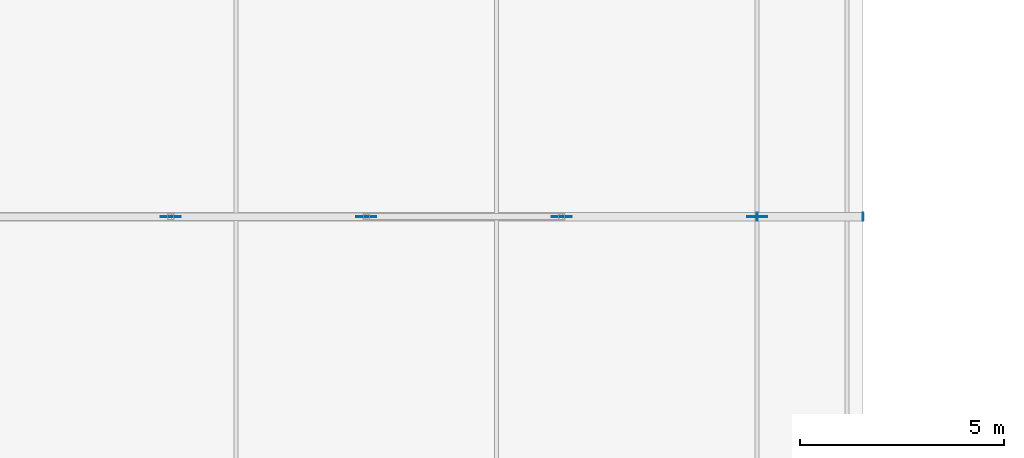
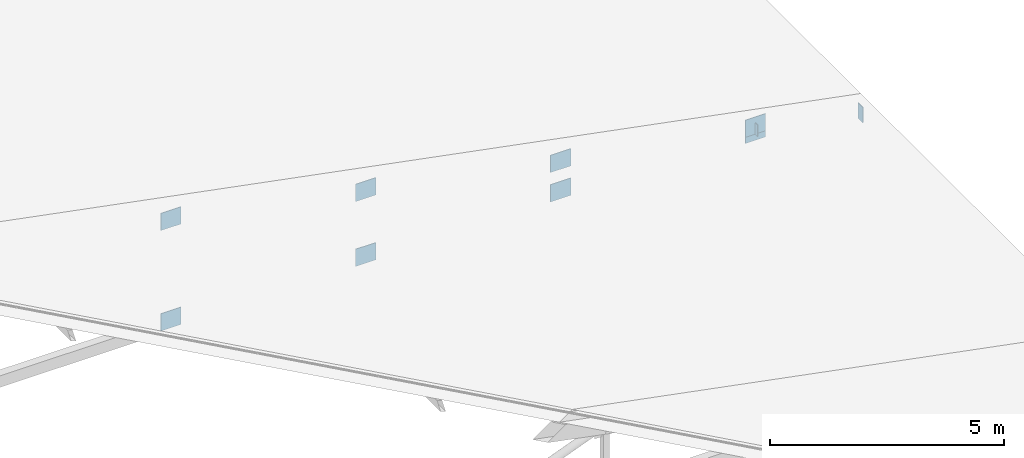
# One storey, part 166 of 200: 10 plates.
"""IFC4 building model written with IfcOpenShell, lengths in metres."""

from ifc_helpers import new_model, si_unit, direction, frame, origin, origin_2d, place, context, subcontext, project, spatial, rectangle, extrude, material, layer, layer_set, type_object, element, save


model = new_model("IFC4")

# Units and contexts
model_context = context("Model", 3, precision=1e-05, world=origin(), true_north=direction((0.0, 1.0)))
body_context = subcontext(model_context, "Body", "Model", "MODEL_VIEW")
ifc_project = project(units=[si_unit("LENGTHUNIT", "METRE"), si_unit("AREAUNIT", "SQUARE_METRE"), si_unit("VOLUMEUNIT", "CUBIC_METRE"), si_unit("PLANEANGLEUNIT", "RADIAN"), si_unit("MASSUNIT", "GRAM", prefix="KILO")], contexts=[model_context])

# Site, building, storey
site_placement = place(None, origin())
site = spatial("IfcSite", under=ifc_project, at=site_placement, CompositionType="ELEMENT")
building_placement = place(site_placement, origin())
building = spatial("IfcBuilding", under=site, at=building_placement, Name="Vondelvale Polytechnic", CompositionType="ELEMENT")
storey_placement = place(building_placement, frame((0.0, 0.0, 13.800048828125)))
storey = spatial("IfcBuildingStorey", under=building, at=storey_placement, Name="L03", CompositionType="ELEMENT", Elevation=13.800048828125)

# Plates
ifc_material = material(Name="Steel Grade 350 (fy = 340 MPa)", Category="steel")
ifc_layer_1 = layer(ifc_material, 0.01611328125)
ifc_layer_set_1 = layer_set([ifc_layer_1], Name="PLATE-CAP-300x200")
plate_type_1 = type_object("IfcPlateType", Name="PLATE-CAP-300x200", PredefinedType="USERDEFINED", material=ifc_layer_set_1)
plate_1_placement = place(storey_placement, frame((48.0, 102.0, -0.5703125), z_axis=(0.0, 0.0, 1.0), x_axis=(1.0, 0.0, 0.0)))
element("IfcPlate", 1, at=plate_1_placement, inside=storey, type_object=plate_type_1, Name="ROOF TRUSS bottom chord cap plate E", ObjectType="CAP_PLATE", PredefinedType="USERDEFINED", context=body_context, shape_type="SweptSolid", body=[
    extrude(rectangle(XDim=0.01611328125, YDim=0.199951171875, at=origin_2d()), origin(), (0.0, 0.0, 1.0), 0.300048828125),
])
ifc_layer_2 = layer(ifc_material, 0.01611328125)
ifc_layer_set_2 = layer_set([ifc_layer_2], Name="PLATE-CAP-400x200")
plate_type_2 = type_object("IfcPlateType", Name="PLATE-CAP-400x200", PredefinedType="USERDEFINED", material=ifc_layer_set_2)
plate_2_placement = place(storey_placement, frame((50.60009765625, 102.0, -1.12109375), z_axis=(0.0, 0.0, 1.0), x_axis=(1.0, 0.0, 0.0)))
element("IfcPlate", 2, at=plate_2_placement, inside=storey, type_object=plate_type_2, Name="ROOF TRUSS hollow end cap plate E", ObjectType="CAP_PLATE", PredefinedType="USERDEFINED", context=body_context, shape_type="SweptSolid", body=[
    extrude(rectangle(XDim=0.01611328125, YDim=0.199951171875, at=origin_2d()), origin(), (0.0, 0.0, 1.0), 0.39990234375),
])
ifc_layer_3 = layer(ifc_material, 0.01611328125)
ifc_layer_set_3 = layer_set([ifc_layer_3], Name="PLATE-GUSSET-16")
plate_type_3 = type_object("IfcPlateType", Name="PLATE-GUSSET-16", PredefinedType="USERDEFINED", material=ifc_layer_set_3)
for number, where, z_axis, x_axis, name in (
    (3, (33.60009765625, 102.0, 2.0498046875), (0.0, 0.0, 1.0), (1.0, 0.0, 0.0), "ROOF TRUSS top chord gusset node plate 6"),
    (4, (33.60009765625, 102.0, -0.56494140625), (0.0, 0.0, 1.0), (1.0, 0.0, 0.0), "ROOF TRUSS bottom chord gusset node plate 6"),
    (5, (38.39990234375, 102.0, 1.125), (0.0, 0.0, 1.0), (1.0, 0.0, 0.0), "ROOF TRUSS top chord gusset node plate 7"),
    (6, (38.39990234375, 102.0, -0.56494140625), (0.0, 0.0, 1.0), (1.0, 0.0, 0.0), "ROOF TRUSS bottom chord gusset node plate 7"),
    (7, (43.199951171875, 102.0, 0.2001953125), (0.0, 0.0, 1.0), (1.0, 0.0, 0.0), "ROOF TRUSS top chord gusset node plate 8"),
    (8, (43.199951171875, 102.0, -0.56494140625), (0.0, 0.0, 1.0), (1.0, 0.0, 0.0), "ROOF TRUSS bottom chord gusset node plate 8"),
    (9, (48.0, 102.0, -0.72509765625), (0.0, 0.0, 1.0), (1.0, 0.0, 0.0), "ROOF TRUSS top chord gusset node plate 9"),
    (10, (48.0, 102.0, -0.56494140625), (0.0, 0.0, 1.0), (1.0, 0.0, 0.0), "ROOF TRUSS bottom chord gusset node plate 9"),
):
    element("IfcPlate", number, at=place(storey_placement, frame(where, z_axis=z_axis, x_axis=x_axis)), inside=storey, type_object=plate_type_3, Name=name, ObjectType="GUSSET_PLATE", PredefinedType="USERDEFINED", context=body_context, shape_type="SweptSolid", body=[
        extrude(rectangle(XDim=0.5, YDim=0.01611328125, at=origin_2d()), origin(), (0.0, 0.0, 1.0), 0.449951171875),
    ])

save(model, "model.ifc")
